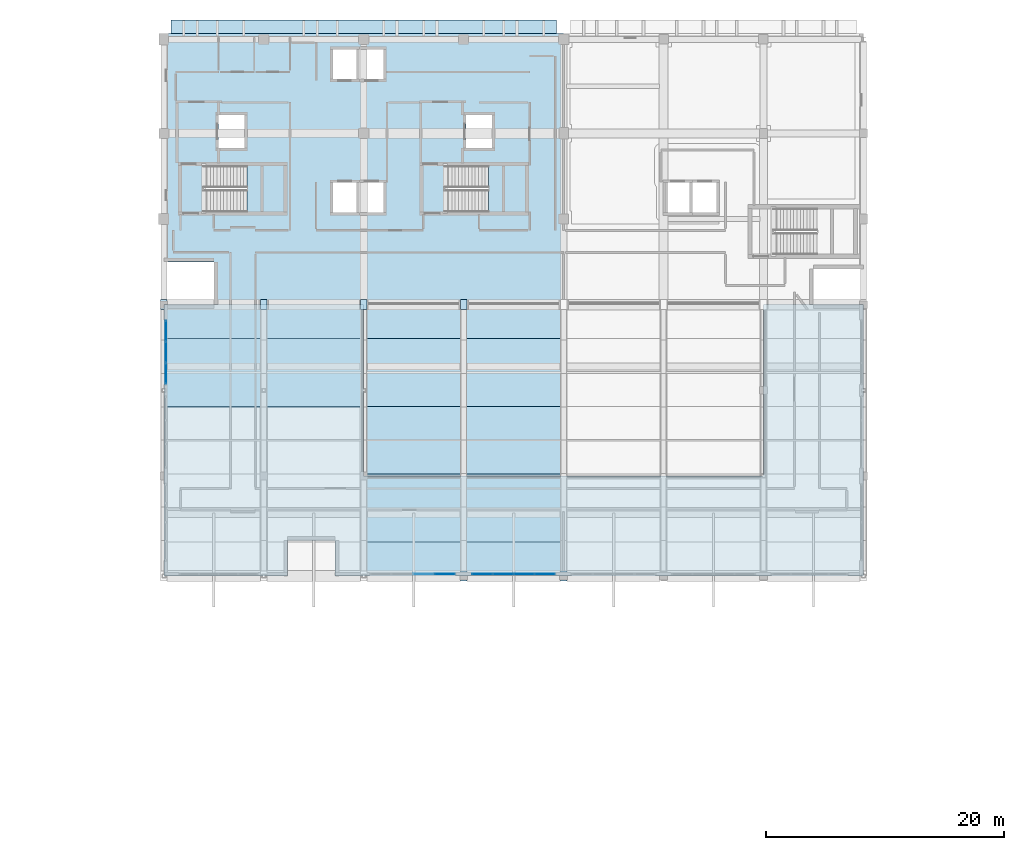
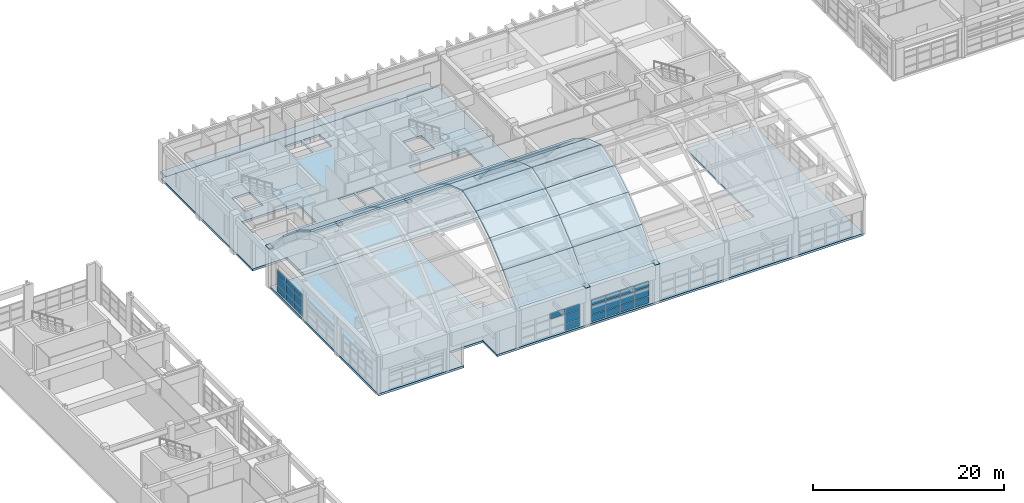
# One storey, part 75 of 103: 31 plates, 27 slabs, 5 elements without a shape of their own.
"""IFC4 building model written with IfcOpenShell, lengths in metres."""

import ifcopenshell
import ifcopenshell.guid

model = None  # the IFC model being written
_history = None  # IfcOwnerHistory: only IFC2X3 demands one
_inside = {}  # id of a spatial element -> (the spatial element, [elements in it])
_under = {}  # id of a project, library or spatial element -> (it, [spatial elements below it])
_declared = {}  # id of a project -> (the project, [libraries it declares])
_typed = {}  # id of a type object -> (the type object, [elements of that type])
_made_of = {}  # id of a material, layer set ... -> (it, [elements and type objects made of it])


def new_model(schema):
    """Start an empty IFC model of exactly this schema.

    Asked for "IFC4X3", IfcOpenShell would pick the latest addendum, in which some entities
    have other attributes; the version numbers below select the first issue.
    IFC2X3 requires an IfcOwnerHistory on every rooted entity: one is made here for all.
    """
    global model, _history
    if schema == "IFC4X3":
        model = ifcopenshell.file(schema_version=(4, 3, 0, 0))
    else:
        model = ifcopenshell.file(schema=schema)
    _inside.clear()
    _under.clear()
    _declared.clear()
    _typed.clear()
    _made_of.clear()
    _history = None
    if model.schema == "IFC2X3":
        org = make("IfcOrganization", Name="unknown")
        user = make(
            "IfcPersonAndOrganization",
            ThePerson=make("IfcPerson", FamilyName="unknown"),
            TheOrganization=org,
        )
        app = make(
            "IfcApplication",
            ApplicationDeveloper=org,
            Version="unknown",
            ApplicationFullName="unknown",
            ApplicationIdentifier="unknown",
        )
        _history = make(
            "IfcOwnerHistory",
            OwningUser=user,
            OwningApplication=app,
            ChangeAction="ADDED",
            CreationDate=0,
        )
    return model


def make(cls, **values):
    """One entity of the class cls with the attributes given. An attribute that is None is left unset."""
    return model.create_entity(
        cls, **{name: value for name, value in values.items() if value is not None}
    )


def rooted(cls, **values):
    """An entity with a GlobalId (a new one), such as an element, a storey or a relation."""
    return make(cls, GlobalId=ifcopenshell.guid.new(), OwnerHistory=_history, **values)


def si_unit(unit_type, name, prefix=None):
    """IfcSIUnit, for example si_unit("LENGTHUNIT", "METRE", prefix="MILLI")."""
    return make("IfcSIUnit", UnitType=unit_type, Prefix=prefix, Name=name)


def assignment(units):
    """IfcUnitAssignment: the units of a project."""
    return None if units is None else make("IfcUnitAssignment", Units=units)


def point(xyz):
    """IfcCartesianPoint."""
    return None if xyz is None else make("IfcCartesianPoint", Coordinates=xyz)


def direction(xyz):
    """IfcDirection."""
    return None if xyz is None else make("IfcDirection", DirectionRatios=xyz)


def frame(location, z_axis=None, x_axis=None):
    """IfcAxis2Placement3D, a coordinate frame: its origin and axes. An axis left out is left unset."""
    return make(
        "IfcAxis2Placement3D",
        Location=point(location),
        Axis=direction(z_axis),
        RefDirection=direction(x_axis),
    )


def frame_2d(location, x_axis=None):
    """IfcAxis2Placement2D, a coordinate frame in the plane: its origin and x axis."""
    return make(
        "IfcAxis2Placement2D", Location=point(location), RefDirection=direction(x_axis)
    )


def origin():
    """The frame at (0, 0, 0) with its axes left unset."""
    return frame((0.0, 0.0, 0.0))


def origin_2d():
    """The frame at (0, 0) in the plane with its x axis left unset."""
    return frame_2d((0.0, 0.0))


def place(relative_to, where):
    """IfcLocalPlacement: puts the frame where relative to a parent placement (None: the world)."""
    return make(
        "IfcLocalPlacement", PlacementRelTo=relative_to, RelativePlacement=where
    )


def context(
    kind, dimensions, precision=None, world=None, true_north=None, identifier=None
):
    """IfcGeometricRepresentationContext, for example the 3D "Model" context."""
    return make(
        "IfcGeometricRepresentationContext",
        ContextIdentifier=identifier,
        ContextType=kind,
        CoordinateSpaceDimension=dimensions,
        Precision=precision,
        WorldCoordinateSystem=world,
        TrueNorth=true_north,
    )


def subcontext(parent, identifier, kind, view, scale=None):
    """IfcGeometricRepresentationSubContext, for example "Body" below "Model"."""
    return make(
        "IfcGeometricRepresentationSubContext",
        ContextIdentifier=identifier,
        ContextType=kind,
        ParentContext=parent,
        TargetScale=scale,
        TargetView=view,
    )


def project(units=None, contexts=None):
    """IfcProject with its units and contexts."""
    return rooted(
        "IfcProject",
        Name="project",
        RepresentationContexts=contexts,
        UnitsInContext=assignment(units),
    )


def spatial(cls, under=None, at=None, **own):
    """A site, building, storey or space (cls), placed at a placement, below another one or the project."""
    s = rooted(cls, ObjectPlacement=at, **own)
    if under is not None:
        _under.setdefault(under.id(), (under, []))[1].append(s)
    return s


def polyline(points):
    """IfcPolyline through the points."""
    return make("IfcPolyline", Points=[point(p) for p in points])


def profile(cls, at=None, kind="AREA", **sizes):
    """A parametric profile (cls). Its sizes go by their IFC names, for example OverallWidth=200.0."""
    return make(cls, ProfileType=kind, Position=at, **sizes)


def rectangle(**sizes):
    """IfcRectangleProfileDef."""
    return profile("IfcRectangleProfileDef", **sizes)


def outline(outer, holes=None, kind="AREA"):
    """IfcArbitraryClosedProfileDef: a profile drawn as a closed curve; with holes, ...WithVoids."""
    if holes is None:
        return make("IfcArbitraryClosedProfileDef", ProfileType=kind, OuterCurve=outer)
    return make(
        "IfcArbitraryProfileDefWithVoids",
        ProfileType=kind,
        OuterCurve=outer,
        InnerCurves=holes,
    )


def extrude(swept, where, along, depth):
    """IfcExtrudedAreaSolid: the profile swept, set in the frame where, extruded along a direction by depth."""
    return make(
        "IfcExtrudedAreaSolid",
        SweptArea=swept,
        Position=where,
        ExtrudedDirection=direction(along),
        Depth=depth,
    )


def shape(context_of_items, identifier, shape_type, items):
    """IfcShapeRepresentation: the items that make up one representation, for example the "Body"."""
    return make(
        "IfcShapeRepresentation",
        ContextOfItems=context_of_items,
        RepresentationIdentifier=identifier,
        RepresentationType=shape_type,
        Items=items,
    )


def material(Name=None, Category=None):
    """IfcMaterial."""
    return make("IfcMaterial", Name=Name, Category=Category)


def layer(
    of_material, thickness, ventilated=None, Name=None, Category=None, Priority=None
):
    """IfcMaterialLayer: one layer of a wall or slab, of a material (None: an air gap)."""
    return make(
        "IfcMaterialLayer",
        Material=of_material,
        LayerThickness=thickness,
        IsVentilated=ventilated,
        Name=Name,
        Category=Category,
        Priority=Priority,
    )


def layer_set(layers, Name=None):
    """IfcMaterialLayerSet."""
    return make("IfcMaterialLayerSet", MaterialLayers=layers, LayerSetName=Name)


def made_of(thing, what):
    """Note that an element or type object is made of a material, layer set ...; save() writes the relation."""
    if what is not None:
        _made_of.setdefault(what.id(), (what, []))[1].append(thing)
    return thing


def type_object(cls, material=None, **own):
    """A type object (cls), such as IfcWallType, which elements share."""
    return made_of(rooted(cls, **own), material)


def element(
    cls,
    number,
    at=None,
    inside=None,
    cuts=None,
    type_object=None,
    material=None,
    context=None,
    identifier="Body",
    shape_type=None,
    held_by="IfcProductDefinitionShape",
    body=None,
    shapes=None,
    **own,
):
    """One element of the class cls, such as IfcWall. Its Tag is "e" and its number.

    at: its placement. inside: the storey or other place that contains it. cuts: it is an
    opening in that element (IfcRelVoidsElement). A single representation is given by context,
    identifier, shape_type and body (its items); several are given by shapes. held_by: the class
    of the entity that holds the representations. save() writes the other relations.
    """
    e = rooted(cls, Tag="e%d" % number, ObjectPlacement=at, **own)
    if body is not None:
        shapes = [shape(context, identifier, shape_type, body)]
    if shapes is not None:
        e.Representation = make(held_by, Representations=shapes)
    if inside is not None:
        _inside.setdefault(inside.id(), (inside, []))[1].append(e)
    if cuts is not None:
        rooted(
            "IfcRelVoidsElement", RelatingBuildingElement=cuts, RelatedOpeningElement=e
        )
    if type_object is not None:
        _typed.setdefault(type_object.id(), (type_object, []))[1].append(e)
    return made_of(e, material)


def aggregate(whole, parts):
    """IfcRelAggregates: a whole, such as a stair, and the parts it consists of."""
    return rooted("IfcRelAggregates", RelatingObject=whole, RelatedObjects=parts)


def save(model, path):
    """Write the relations noted so far, then the file.

    IfcRelAggregates (storeys below a building ...), IfcRelContainedInSpatialStructure (elements
    in a storey), IfcRelDefinesByType, IfcRelAssociatesMaterial and IfcRelDeclares: one each for
    every whole, place, type object, material and project.
    """
    for whole, parts in _under.values():
        aggregate(whole, parts)
    for where, things in _inside.values():
        rooted(
            "IfcRelContainedInSpatialStructure",
            RelatedElements=things,
            RelatingStructure=where,
        )
    for kind, things in _typed.values():
        rooted("IfcRelDefinesByType", RelatedObjects=things, RelatingType=kind)
    for what, things in _made_of.values():
        rooted("IfcRelAssociatesMaterial", RelatedObjects=things, RelatingMaterial=what)
    for by, libraries in _declared.values():
        rooted("IfcRelDeclares", RelatingContext=by, RelatedDefinitions=libraries)
    model.write(path)


model = new_model("IFC4")

# Units and contexts
model_context = context("Model", 3, precision=1e-05, world=origin(), true_north=direction((0.0, 1.0)))
body_context = subcontext(model_context, "Body", "Model", "MODEL_VIEW")
ifc_project = project(units=[si_unit("LENGTHUNIT", "METRE"), si_unit("AREAUNIT", "SQUARE_METRE"), si_unit("VOLUMEUNIT", "CUBIC_METRE"), si_unit("PLANEANGLEUNIT", "RADIAN"), si_unit("MASSUNIT", "GRAM", prefix="KILO")], contexts=[model_context])

# Site, building, storey
site_placement = place(None, origin())
site = spatial("IfcSite", under=ifc_project, at=site_placement, CompositionType="ELEMENT")
building_placement = place(site_placement, origin())
building = spatial("IfcBuilding", under=site, at=building_placement, Name="Quendrovan Civic Courthouse", CompositionType="ELEMENT")
storey_placement = place(building_placement, frame((0.0, 0.0, 15.300048828125)))
storey = spatial("IfcBuildingStorey", under=building, at=storey_placement, Name="L04", CompositionType="ELEMENT", Elevation=15.300048828125)

# Curtain wall, plates
ifc_material_1 = material(Name="Bronze anodised aluminium and low-E glass", Category="aluminium")
ifc_layer_1 = layer(ifc_material_1, 0.179931640625, Name="Bronze anodised aluminium and low-E glass")
ifc_layer_set_1 = layer_set([ifc_layer_1], Name="Bronze anodised aluminium and low-E glass")
curtain_wall_type_1 = type_object("IfcCurtainWallType", Name="CW-U70x30", PredefinedType="USERDEFINED", material=ifc_layer_set_1)
curtain_wall_1_placement = place(storey_placement, origin())
curtain_wall_1 = element("IfcCurtainWall", 1, at=curtain_wall_1_placement, inside=storey, type_object=curtain_wall_type_1, Name="L04 Unitised Hurricane Curtain Wall CW-161", ObjectType="UNITISED CURTAIN WALL", PredefinedType="USERDEFINED")
ifc_material_2 = material(Name="Laminated hurricane-impact low-E glass", Category="glass")
ifc_layer_2 = layer(ifc_material_2, 0.031982421875, Name="Laminated hurricane-impact low-E glass")
ifc_layer_set_2 = layer_set([ifc_layer_2], Name="Laminated hurricane-impact low-E glass")
plate_type_1 = type_object("IfcPlateType", Name="CW-PNL-2", PredefinedType="CURTAIN_PANEL", material=ifc_layer_set_2)
plate_1_placement = place(storey_placement, frame((65.62744140625, 64.965087890625, 0.06494140625), z_axis=(0.0, 0.0, 1.0), x_axis=(-1.0, 0.0, 0.0)))
plate_1 = element("IfcPlate", 2, at=plate_1_placement, type_object=plate_type_1, Name="CW-161 panel 1.1", PredefinedType="CURTAIN_PANEL", context=body_context, shape_type="SweptSolid", body=[
    extrude(rectangle(XDim=1.6650390625, YDim=0.031982421875, at=origin_2d()), origin(), (0.0, 0.0, 1.0), 0.8525390625),
])
plate_2_placement = place(storey_placement, frame((65.62744140625, 64.965087890625, 0.982421875), z_axis=(0.0, 0.0, 1.0), x_axis=(-1.0, 0.0, 0.0)))
plate_2 = element("IfcPlate", 3, at=plate_2_placement, type_object=plate_type_1, Name="CW-161 panel 1.2", PredefinedType="CURTAIN_PANEL", context=body_context, shape_type="SweptSolid", body=[
    extrude(rectangle(XDim=1.6650390625, YDim=0.031982421875, at=origin_2d()), origin(), (0.0, 0.0, 1.0), 1.135009765625),
])
plate_3_placement = place(storey_placement, frame((65.62744140625, 64.965087890625, 2.1826171875), z_axis=(0.0, 0.0, 1.0), x_axis=(-1.0, 0.0, 0.0)))
plate_3 = element("IfcPlate", 4, at=plate_3_placement, type_object=plate_type_1, Name="CW-161 panel 1.3", PredefinedType="CURTAIN_PANEL", context=body_context, shape_type="SweptSolid", body=[
    extrude(rectangle(XDim=1.6650390625, YDim=0.031982421875, at=origin_2d()), origin(), (0.0, 0.0, 1.0), 0.722412109375),
])
plate_4_placement = place(storey_placement, frame((63.88134765625, 64.965087890625, 0.06494140625), z_axis=(0.0, 0.0, 1.0), x_axis=(-1.0, 0.0, 0.0)))
plate_4 = element("IfcPlate", 5, at=plate_4_placement, type_object=plate_type_1, Name="CW-161 panel 2.1", PredefinedType="CURTAIN_PANEL", context=body_context, shape_type="SweptSolid", body=[
    extrude(rectangle(XDim=1.697509765625, YDim=0.031982421875, at=origin_2d()), origin(), (0.0, 0.0, 1.0), 0.8525390625),
])
plate_5_placement = place(storey_placement, frame((63.88134765625, 64.965087890625, 0.982421875), z_axis=(0.0, 0.0, 1.0), x_axis=(-1.0, 0.0, 0.0)))
plate_5 = element("IfcPlate", 6, at=plate_5_placement, type_object=plate_type_1, Name="CW-161 panel 2.2", PredefinedType="CURTAIN_PANEL", context=body_context, shape_type="SweptSolid", body=[
    extrude(rectangle(XDim=1.697509765625, YDim=0.031982421875, at=origin_2d()), origin(), (0.0, 0.0, 1.0), 1.135009765625),
])
plate_6_placement = place(storey_placement, frame((63.88134765625, 64.965087890625, 2.1826171875), z_axis=(0.0, 0.0, 1.0), x_axis=(-1.0, 0.0, 0.0)))
plate_6 = element("IfcPlate", 7, at=plate_6_placement, type_object=plate_type_1, Name="CW-161 panel 2.3", PredefinedType="CURTAIN_PANEL", context=body_context, shape_type="SweptSolid", body=[
    extrude(rectangle(XDim=1.697509765625, YDim=0.031982421875, at=origin_2d()), origin(), (0.0, 0.0, 1.0), 0.722412109375),
])
plate_7_placement = place(storey_placement, frame((62.11865234375, 64.965087890625, 0.06494140625), z_axis=(0.0, 0.0, 1.0), x_axis=(-1.0, 0.0, 0.0)))
plate_7 = element("IfcPlate", 8, at=plate_7_placement, type_object=plate_type_1, Name="CW-161 panel 3.1", PredefinedType="CURTAIN_PANEL", context=body_context, shape_type="SweptSolid", body=[
    extrude(rectangle(XDim=1.697509765625, YDim=0.031982421875, at=origin_2d()), origin(), (0.0, 0.0, 1.0), 0.8525390625),
])
plate_8_placement = place(storey_placement, frame((62.11865234375, 64.965087890625, 0.982421875), z_axis=(0.0, 0.0, 1.0), x_axis=(-1.0, 0.0, 0.0)))
plate_8 = element("IfcPlate", 9, at=plate_8_placement, type_object=plate_type_1, Name="CW-161 panel 3.2", PredefinedType="CURTAIN_PANEL", context=body_context, shape_type="SweptSolid", body=[
    extrude(rectangle(XDim=1.697509765625, YDim=0.031982421875, at=origin_2d()), origin(), (0.0, 0.0, 1.0), 1.135009765625),
])
plate_9_placement = place(storey_placement, frame((62.11865234375, 64.965087890625, 2.1826171875), z_axis=(0.0, 0.0, 1.0), x_axis=(-1.0, 0.0, 0.0)))
plate_9 = element("IfcPlate", 10, at=plate_9_placement, type_object=plate_type_1, Name="CW-161 panel 3.3", PredefinedType="CURTAIN_PANEL", context=body_context, shape_type="SweptSolid", body=[
    extrude(rectangle(XDim=1.697509765625, YDim=0.031982421875, at=origin_2d()), origin(), (0.0, 0.0, 1.0), 0.722412109375),
])
plate_10_placement = place(storey_placement, frame((60.37255859375, 64.965087890625, 0.06494140625), z_axis=(0.0, 0.0, 1.0), x_axis=(-1.0, 0.0, 0.0)))
plate_10 = element("IfcPlate", 11, at=plate_10_placement, type_object=plate_type_1, Name="CW-161 panel 4.1", PredefinedType="CURTAIN_PANEL", context=body_context, shape_type="SweptSolid", body=[
    extrude(rectangle(XDim=1.6650390625, YDim=0.031982421875, at=origin_2d()), origin(), (0.0, 0.0, 1.0), 0.8525390625),
])
plate_11_placement = place(storey_placement, frame((60.37255859375, 64.965087890625, 0.982421875), z_axis=(0.0, 0.0, 1.0), x_axis=(-1.0, 0.0, 0.0)))
plate_11 = element("IfcPlate", 12, at=plate_11_placement, type_object=plate_type_1, Name="CW-161 panel 4.2", PredefinedType="CURTAIN_PANEL", context=body_context, shape_type="SweptSolid", body=[
    extrude(rectangle(XDim=1.6650390625, YDim=0.031982421875, at=origin_2d()), origin(), (0.0, 0.0, 1.0), 1.135009765625),
])
plate_12_placement = place(storey_placement, frame((60.37255859375, 64.965087890625, 2.1826171875), z_axis=(0.0, 0.0, 1.0), x_axis=(-1.0, 0.0, 0.0)))
plate_12 = element("IfcPlate", 13, at=plate_12_placement, type_object=plate_type_1, Name="CW-161 panel 4.3", PredefinedType="CURTAIN_PANEL", context=body_context, shape_type="SweptSolid", body=[
    extrude(rectangle(XDim=1.6650390625, YDim=0.031982421875, at=origin_2d()), origin(), (0.0, 0.0, 1.0), 0.722412109375),
])
aggregate(curtain_wall_1, [plate_1, plate_2, plate_3, plate_4, plate_5, plate_6, plate_7, plate_8, plate_9, plate_10, plate_11, plate_12])

ifc_layer_3 = layer(ifc_material_1, 0.179931640625, Name="Bronze anodised aluminium and low-E glass")
ifc_layer_set_3 = layer_set([ifc_layer_3], Name="Bronze anodised aluminium and low-E glass")
curtain_wall_type_2 = type_object("IfcCurtainWallType", Name="CW-U72x30", PredefinedType="USERDEFINED", material=ifc_layer_set_3)
curtain_wall_2_placement = place(storey_placement, origin())
curtain_wall_2 = element("IfcCurtainWall", 14, at=curtain_wall_2_placement, inside=storey, type_object=curtain_wall_type_2, Name="L04 Unitised Hurricane Curtain Wall CW-162", ObjectType="UNITISED CURTAIN WALL", PredefinedType="USERDEFINED")
ifc_layer_4 = layer(ifc_material_2, 0.035888671875, Name="Laminated hurricane-impact low-E glass")
ifc_layer_set_4 = layer_set([ifc_layer_4], Name="Laminated hurricane-impact low-E glass")
plate_type_2 = type_object("IfcPlateType", Name="CW-PNL-3", PredefinedType="CURTAIN_PANEL", material=ifc_layer_set_4)
plate_13_placement = place(storey_placement, frame((57.204345703125, 64.965087890625, 0.06982421875), z_axis=(0.0, 0.0, 1.0), x_axis=(-1.0, 0.0, 0.0)))
plate_13 = element("IfcPlate", 15, at=plate_13_placement, type_object=plate_type_2, Name="CW-162 panel 1.1", PredefinedType="CURTAIN_PANEL", context=body_context, shape_type="SweptSolid", body=[
    extrude(rectangle(XDim=1.701171875, YDim=0.035888671875, at=origin_2d()), origin(), (0.0, 0.0, 1.0), 0.844970703125),
])
plate_14_placement = place(storey_placement, frame((57.204345703125, 64.965087890625, 0.985107421875), z_axis=(0.0, 0.0, 1.0), x_axis=(-1.0, 0.0, 0.0)))
plate_14 = element("IfcPlate", 16, at=plate_14_placement, type_object=plate_type_2, Name="CW-162 panel 1.2", PredefinedType="CURTAIN_PANEL", context=body_context, shape_type="SweptSolid", body=[
    extrude(rectangle(XDim=1.701171875, YDim=0.035888671875, at=origin_2d()), origin(), (0.0, 0.0, 1.0), 1.1298828125),
])
plate_15_placement = place(storey_placement, frame((57.204345703125, 64.965087890625, 2.18505859375), z_axis=(0.0, 0.0, 1.0), x_axis=(-1.0, 0.0, 0.0)))
plate_15 = element("IfcPlate", 17, at=plate_15_placement, type_object=plate_type_2, Name="CW-162 panel 1.3", PredefinedType="CURTAIN_PANEL", context=body_context, shape_type="SweptSolid", body=[
    extrude(rectangle(XDim=1.701171875, YDim=0.035888671875, at=origin_2d()), origin(), (0.0, 0.0, 1.0), 0.715087890625),
])
plate_16_placement = place(storey_placement, frame((55.41552734375, 64.965087890625, 2.18505859375), z_axis=(0.0, 0.0, 1.0), x_axis=(-1.0, 0.0, 0.0)))
plate_16 = element("IfcPlate", 18, at=plate_16_placement, type_object=plate_type_2, Name="CW-162 panel 2.3", PredefinedType="CURTAIN_PANEL", context=body_context, shape_type="SweptSolid", body=[
    extrude(rectangle(XDim=1.736328125, YDim=0.035888671875, at=origin_2d()), origin(), (0.0, 0.0, 1.0), 0.715087890625),
])
aggregate(curtain_wall_2, [plate_13, plate_14, plate_15, plate_16])

ifc_layer_5 = layer(ifc_material_1, 0.179931640625, Name="Bronze anodised aluminium and low-E glass")
ifc_layer_set_5 = layer_set([ifc_layer_5], Name="Bronze anodised aluminium and low-E glass")
curtain_wall_type_3 = type_object("IfcCurtainWallType", Name="CW-U54x30", PredefinedType="USERDEFINED", material=ifc_layer_set_5)
curtain_wall_3_placement = place(storey_placement, origin())
curtain_wall_3 = element("IfcCurtainWall", 19, at=curtain_wall_3_placement, inside=storey, type_object=curtain_wall_type_3, Name="L04 Unitised Hurricane Curtain Wall CW-166", ObjectType="UNITISED CURTAIN WALL", PredefinedType="USERDEFINED")
plate_17_placement = place(storey_placement, frame((33.764892578125, 81.8173828125, 0.06982421875), z_axis=(0.0, 0.0, 1.0), x_axis=(0.0, 1.0, 0.0)))
plate_17 = element("IfcPlate", 20, at=plate_17_placement, type_object=plate_type_2, Name="CW-166 panel 1.1", PredefinedType="CURTAIN_PANEL", context=body_context, shape_type="SweptSolid", body=[
    extrude(rectangle(XDim=1.695068359375, YDim=0.035888671875, at=origin_2d()), origin(), (0.0, 0.0, 1.0), 0.844970703125),
])
plate_18_placement = place(storey_placement, frame((33.764892578125, 81.8173828125, 0.985107421875), z_axis=(0.0, 0.0, 1.0), x_axis=(0.0, 1.0, 0.0)))
plate_18 = element("IfcPlate", 21, at=plate_18_placement, type_object=plate_type_2, Name="CW-166 panel 1.2", PredefinedType="CURTAIN_PANEL", context=body_context, shape_type="SweptSolid", body=[
    extrude(rectangle(XDim=1.695068359375, YDim=0.035888671875, at=origin_2d()), origin(), (0.0, 0.0, 1.0), 1.1298828125),
])
plate_19_placement = place(storey_placement, frame((33.764892578125, 81.8173828125, 2.18505859375), z_axis=(0.0, 0.0, 1.0), x_axis=(0.0, 1.0, 0.0)))
plate_19 = element("IfcPlate", 22, at=plate_19_placement, type_object=plate_type_2, Name="CW-166 panel 1.3", PredefinedType="CURTAIN_PANEL", context=body_context, shape_type="SweptSolid", body=[
    extrude(rectangle(XDim=1.695068359375, YDim=0.035888671875, at=origin_2d()), origin(), (0.0, 0.0, 1.0), 0.715087890625),
])
plate_20_placement = place(storey_placement, frame((33.764892578125, 83.60009765625, 0.06982421875), z_axis=(0.0, 0.0, 1.0), x_axis=(0.0, 1.0, 0.0)))
plate_20 = element("IfcPlate", 23, at=plate_20_placement, type_object=plate_type_2, Name="CW-166 panel 2.1", PredefinedType="CURTAIN_PANEL", context=body_context, shape_type="SweptSolid", body=[
    extrude(rectangle(XDim=1.72998046875, YDim=0.035888671875, at=origin_2d()), origin(), (0.0, 0.0, 1.0), 0.844970703125),
])
plate_21_placement = place(storey_placement, frame((33.764892578125, 83.60009765625, 0.985107421875), z_axis=(0.0, 0.0, 1.0), x_axis=(0.0, 1.0, 0.0)))
plate_21 = element("IfcPlate", 24, at=plate_21_placement, type_object=plate_type_2, Name="CW-166 panel 2.2", PredefinedType="CURTAIN_PANEL", context=body_context, shape_type="SweptSolid", body=[
    extrude(rectangle(XDim=1.72998046875, YDim=0.035888671875, at=origin_2d()), origin(), (0.0, 0.0, 1.0), 1.1298828125),
])
plate_22_placement = place(storey_placement, frame((33.764892578125, 83.60009765625, 2.18505859375), z_axis=(0.0, 0.0, 1.0), x_axis=(0.0, 1.0, 0.0)))
plate_22 = element("IfcPlate", 25, at=plate_22_placement, type_object=plate_type_2, Name="CW-166 panel 2.3", PredefinedType="CURTAIN_PANEL", context=body_context, shape_type="SweptSolid", body=[
    extrude(rectangle(XDim=1.72998046875, YDim=0.035888671875, at=origin_2d()), origin(), (0.0, 0.0, 1.0), 0.715087890625),
])
plate_23_placement = place(storey_placement, frame((33.764892578125, 85.382568359375, 0.06982421875), z_axis=(0.0, 0.0, 1.0), x_axis=(0.0, 1.0, 0.0)))
plate_23 = element("IfcPlate", 26, at=plate_23_placement, type_object=plate_type_2, Name="CW-166 panel 3.1", PredefinedType="CURTAIN_PANEL", context=body_context, shape_type="SweptSolid", body=[
    extrude(rectangle(XDim=1.695068359375, YDim=0.035888671875, at=origin_2d()), origin(), (0.0, 0.0, 1.0), 0.844970703125),
])
plate_24_placement = place(storey_placement, frame((33.764892578125, 85.382568359375, 0.985107421875), z_axis=(0.0, 0.0, 1.0), x_axis=(0.0, 1.0, 0.0)))
plate_24 = element("IfcPlate", 27, at=plate_24_placement, type_object=plate_type_2, Name="CW-166 panel 3.2", PredefinedType="CURTAIN_PANEL", context=body_context, shape_type="SweptSolid", body=[
    extrude(rectangle(XDim=1.695068359375, YDim=0.035888671875, at=origin_2d()), origin(), (0.0, 0.0, 1.0), 1.1298828125),
])
plate_25_placement = place(storey_placement, frame((33.764892578125, 85.382568359375, 2.18505859375), z_axis=(0.0, 0.0, 1.0), x_axis=(0.0, 1.0, 0.0)))
plate_25 = element("IfcPlate", 28, at=plate_25_placement, type_object=plate_type_2, Name="CW-166 panel 3.3", PredefinedType="CURTAIN_PANEL", context=body_context, shape_type="SweptSolid", body=[
    extrude(rectangle(XDim=1.695068359375, YDim=0.035888671875, at=origin_2d()), origin(), (0.0, 0.0, 1.0), 0.715087890625),
])
aggregate(curtain_wall_3, [plate_17, plate_18, plate_19, plate_20, plate_21, plate_22, plate_23, plate_24, plate_25])

# Plates
ifc_material_3 = material(Name="Steel ASTM A572 Grade 50", Category="steel")
ifc_layer_6 = layer(ifc_material_3, 0.0400390625, Name="Steel ASTM A572 Grade 50")
ifc_layer_set_6 = layer_set([ifc_layer_6], Name="Steel ASTM A572 Grade 50")
plate_type_3 = type_object("IfcPlateType", Name="PLT-BASE-40", PredefinedType="USERDEFINED", material=ifc_layer_set_6)
for number, where, z_axis, x_axis, name in (
    (29, (33.60009765625, 87.60009765625, 5.059814453125), (0.0, 0.0, 1.0), (1.0, 0.0, 0.0), "BV2 Vault Springing Bearing Plate A1-N"),
    (30, (42.0, 87.60009765625, 5.059814453125), (0.0, 0.0, 1.0), (1.0, 0.0, 0.0), "BV2 Vault Springing Bearing Plate A2-N"),
    (31, (50.39990234375, 87.60009765625, 5.059814453125), (0.0, 0.0, 1.0), (1.0, 0.0, 0.0), "BV2 Vault Springing Bearing Plate A3-N"),
    (32, (58.800048828125, 64.800048828125, 5.059814453125), (0.0, 0.0, 1.0), (1.0, 0.0, 0.0), "BV2 Vault Springing Bearing Plate A4-S"),
    (33, (58.800048828125, 87.60009765625, 5.059814453125), (0.0, 0.0, 1.0), (1.0, 0.0, 0.0), "BV2 Vault Springing Bearing Plate A4-N"),
    (34, (67.199951171875, 64.800048828125, 5.059814453125), (0.0, 0.0, 1.0), (1.0, 0.0, 0.0), "BV2 Vault Springing Bearing Plate A5-S"),
):
    element("IfcPlate", number, at=place(storey_placement, frame(where, z_axis=z_axis, x_axis=x_axis)), inside=storey, type_object=plate_type_3, Name=name, ObjectType="BASE PLATE", PredefinedType="USERDEFINED", context=body_context, shape_type="SweptSolid", body=[
        extrude(rectangle(XDim=0.550048828125, YDim=0.85009765625, at=origin_2d()), origin(), (0.0, 0.0, 1.0), 0.0400390625),
    ])

# Slabs
ifc_material_4 = material(Name="Precast limestone concrete C45/55", Category="masonry")
ifc_layer_7 = layer(ifc_material_4, 0.419921875, Name="Precast limestone concrete C45/55")
ifc_layer_set_7 = layer_set([ifc_layer_7], Name="Precast limestone concrete C45/55")
slab_type_1 = type_object("IfcSlabType", Name="SLB-LEDGE-420", PredefinedType="FLOOR", material=ifc_layer_set_7)
slab_1_placement = place(storey_placement, frame((0.0, 0.0, -0.420166015625)))
element("IfcSlab", 35, at=slab_1_placement, inside=storey, type_object=slab_type_1, Name="L04 Precast Architectural Spandrel Fin Shelf 363-0", PredefinedType="FLOOR", context=body_context, shape_type="SweptSolid", body=[
    extrude(outline(polyline([(34.199951171875, 111.528076171875), (66.60009765625, 111.528076171875), (66.60009765625, 110.3779296875), (34.199951171875, 110.3779296875), (34.199951171875, 111.528076171875)])), origin(), (0.0, 0.0, 1.0), 0.420166015625),
])
ifc_material_5 = material(Name="Post-tensioned concrete C50/60", Category="concrete")
ifc_layer_8 = layer(ifc_material_5, 0.280029296875, Name="Post-tensioned concrete C50/60")
ifc_layer_set_8 = layer_set([ifc_layer_8], Name="Post-tensioned concrete C50/60")
slab_type_2 = type_object("IfcSlabType", Name="SLB-PT-280", PredefinedType="FLOOR", material=ifc_layer_set_8)
slab_2_placement = place(storey_placement, frame((0.0, 0.0, -0.280029296875)))
element("IfcSlab", 36, at=slab_2_placement, inside=storey, type_object=slab_type_2, Name="L04 Structural Floor Slab V3C", PredefinedType="FLOOR", context=body_context, shape_type="SweptSolid", body=[
    extrude(outline(polyline([(33.60009765625, 87.60009765625), (50.39990234375, 87.60009765625), (50.39990234375, 73.199951171875), (84.0, 73.199951171875), (84.0, 87.60009765625), (92.39990234375, 87.60009765625), (92.39990234375, 64.800048828125), (48.0, 64.800048828125), (48.0, 67.800048828125), (44.0, 67.800048828125), (44.0, 64.800048828125), (33.60009765625, 64.800048828125), (33.60009765625, 87.60009765625)])), origin(), (0.0, 0.0, 1.0), 0.280029296875),
])
slab_3_placement = place(storey_placement, frame((0.0, 0.0, -0.280029296875)))
element("IfcSlab", 37, at=slab_3_placement, inside=storey, type_object=slab_type_2, Name="L04 Structural Floor Slab V2W", PredefinedType="FLOOR", context=body_context, shape_type="SweptSolid", body=[
    extrude(outline(polyline([(67.199951171875, 110.39990234375), (67.199951171875, 87.60009765625), (37.800048828125, 87.60009765625), (37.800048828125, 91.199951171875), (33.60009765625, 91.199951171875), (33.60009765625, 110.39990234375), (67.199951171875, 110.39990234375)]), holes=[polyline([(49.800048828125, 97.85009765625), (47.800048828125, 97.85009765625), (47.800048828125, 95.35009765625), (49.800048828125, 95.35009765625), (49.800048828125, 97.85009765625)]), polyline([(52.050048828125, 97.85009765625), (50.050048828125, 97.85009765625), (50.050048828125, 95.35009765625), (52.050048828125, 95.35009765625), (52.050048828125, 97.85009765625)]), polyline([(43.699951171875, 99.280029296875), (36.949951171875, 99.280029296875), (36.949951171875, 95.39990234375), (43.699951171875, 95.39990234375), (43.699951171875, 99.280029296875)]), polyline([(64.0, 99.280029296875), (57.25, 99.280029296875), (57.25, 95.39990234375), (64.0, 95.39990234375), (64.0, 99.280029296875)]), polyline([(40.39990234375, 103.550048828125), (38.199951171875, 103.550048828125), (38.199951171875, 100.75), (40.39990234375, 100.75), (40.39990234375, 103.550048828125)]), polyline([(61.199951171875, 103.550048828125), (59.0, 103.550048828125), (59.0, 100.75), (61.199951171875, 100.75), (61.199951171875, 103.550048828125)]), polyline([(49.800048828125, 109.050048828125), (47.800048828125, 109.050048828125), (47.800048828125, 106.550048828125), (49.800048828125, 106.550048828125), (49.800048828125, 109.050048828125)]), polyline([(52.050048828125, 109.050048828125), (50.050048828125, 109.050048828125), (50.050048828125, 106.550048828125), (52.050048828125, 106.550048828125), (52.050048828125, 109.050048828125)])]), origin(), (0.0, 0.0, 1.0), 0.280029296875),
])

# Stair, slab
ifc_material_6 = material(Name="Concrete C40/50", Category="concrete")
stair_type = type_object("IfcStairType", Name="STR-CORE-5100", PredefinedType="HALF_TURN_STAIR", material=ifc_material_6)
stair_1_placement = place(storey_placement, origin())
stair_1 = element("IfcStair", 38, at=stair_1_placement, inside=storey, type_object=stair_type, Name="L04 West Judicial and Public Exit Stair 1", PredefinedType="HALF_TURN_STAIR")
ifc_layer_9 = layer(ifc_material_6, 0.199951171875, Name="Concrete C40/50")
ifc_layer_set_9 = layer_set([ifc_layer_9], Name="Concrete C40/50")
slab_type_3 = type_object("IfcSlabType", Name="SLB-STAIR-LND200", PredefinedType="LANDING", material=ifc_layer_set_9)
slab_4_placement = place(storey_placement, frame((0.0, 0.0, 2.349853515625)))
slab_4 = element("IfcSlab", 39, at=slab_4_placement, type_object=slab_type_3, Name="ST1 landing 1", PredefinedType="LANDING", context=body_context, shape_type="SweptSolid", body=[
    extrude(outline(polyline([(40.590087890625, 95.39990234375), (43.699951171875, 95.39990234375), (43.699951171875, 99.280029296875), (40.590087890625, 99.280029296875), (40.590087890625, 95.39990234375)])), origin(), (0.0, 0.0, 1.0), 0.2001953125),
])
aggregate(stair_1, [slab_4])

stair_2_placement = place(storey_placement, origin())
stair_2 = element("IfcStair", 40, at=stair_2_placement, inside=storey, type_object=stair_type, Name="L04 Central Judicial and Firefighting Exit Stair 2", PredefinedType="HALF_TURN_STAIR")
slab_5_placement = place(storey_placement, frame((0.0, 0.0, 2.349853515625)))
slab_5 = element("IfcSlab", 41, at=slab_5_placement, type_object=slab_type_3, Name="ST2 landing 1", PredefinedType="LANDING", context=body_context, shape_type="SweptSolid", body=[
    extrude(outline(polyline([(60.889892578125, 95.39990234375), (64.0, 95.39990234375), (64.0, 99.280029296875), (60.889892578125, 99.280029296875), (60.889892578125, 95.39990234375)])), origin(), (0.0, 0.0, 1.0), 0.2001953125),
])
aggregate(stair_2, [slab_5])

# Slabs
ifc_layer_10 = layer(ifc_material_6, 0.199951171875, Name="Concrete C40/50")
ifc_layer_set_10 = layer_set([ifc_layer_10], Name="Concrete C40/50")
slab_type_4 = type_object("IfcSlabType", Name="SLB-VAULT-200", PredefinedType="ROOF", material=ifc_layer_set_10)
slab_6_placement = place(storey_placement, frame((33.60009765625, 79.050048828125, 12.35693359375), z_axis=(0.0, 0.508035555366, 0.861336098445), x_axis=(1.0, 0.0, 0.0)))
element("IfcSlab", 42, at=slab_6_placement, inside=storey, type_object=slab_type_4, Name="BV2 Concrete Barrel Vault Shell Panel B1-C6", PredefinedType="ROOF", context=body_context, shape_type="SweptSolid", body=[
    extrude(outline(polyline([(0.0, 0.0), (8.39990234375, 0.0), (8.39990234375, 3.3086428407812605), (0.0, 3.3086428407812605), (0.0, 0.0)])), origin(), (0.0, 0.0, -1.0), 0.199951171875),
])
slab_7_placement = place(storey_placement, frame((33.60009765625, 81.89990234375, 10.676025390625), z_axis=(0.0, 0.647121264214, 0.762387086329), x_axis=(1.0, 0.0, 0.0)))
element("IfcSlab", 43, at=slab_7_placement, inside=storey, type_object=slab_type_4, Name="BV2 Concrete Barrel Vault Shell Panel B1-C7", PredefinedType="ROOF", context=body_context, shape_type="SweptSolid", body=[
    extrude(outline(polyline([(0.0, 0.0), (8.39990234375, 0.0), (8.39990234375, 3.7383865851825675), (0.0, 3.7383865851825675), (0.0, 0.0)])), origin(), (0.0, 0.0, -1.0), 0.199951171875),
])
slab_8_placement = place(storey_placement, frame((33.60009765625, 84.75, 8.2568359375), z_axis=(0.0, 0.742262886094, 0.670108803052), x_axis=(1.0, 0.0, 0.0)))
element("IfcSlab", 44, at=slab_8_placement, inside=storey, type_object=slab_type_4, Name="BV2 Concrete Barrel Vault Shell Panel B1-C8", PredefinedType="ROOF", context=body_context, shape_type="SweptSolid", body=[
    extrude(outline(polyline([(0.0, 0.0), (8.39990234375, 0.0), (8.39990234375, 4.253186412819156), (0.0, 4.253186412819156), (0.0, 0.0)])), origin(), (0.0, 0.0, -1.0), 0.199951171875),
])
slab_9_placement = place(storey_placement, frame((42.0, 79.050048828125, 12.35693359375), z_axis=(0.0, 0.508035555366, 0.861336098445), x_axis=(1.0, 0.0, 0.0)))
element("IfcSlab", 45, at=slab_9_placement, inside=storey, type_object=slab_type_4, Name="BV2 Concrete Barrel Vault Shell Panel B2-C6", PredefinedType="ROOF", context=body_context, shape_type="SweptSolid", body=[
    extrude(outline(polyline([(0.0, 0.0), (8.39990234375, 0.0), (8.39990234375, 3.3086428407812605), (0.0, 3.3086428407812605), (0.0, 0.0)])), origin(), (0.0, 0.0, -1.0), 0.199951171875),
])
slab_10_placement = place(storey_placement, frame((42.0, 81.89990234375, 10.676025390625), z_axis=(0.0, 0.647121264214, 0.762387086329), x_axis=(1.0, 0.0, 0.0)))
element("IfcSlab", 46, at=slab_10_placement, inside=storey, type_object=slab_type_4, Name="BV2 Concrete Barrel Vault Shell Panel B2-C7", PredefinedType="ROOF", context=body_context, shape_type="SweptSolid", body=[
    extrude(outline(polyline([(0.0, 0.0), (8.39990234375, 0.0), (8.39990234375, 3.7383865851825675), (0.0, 3.7383865851825675), (0.0, 0.0)])), origin(), (0.0, 0.0, -1.0), 0.199951171875),
])
slab_11_placement = place(storey_placement, frame((42.0, 84.75, 8.2568359375), z_axis=(0.0, 0.742262886094, 0.670108803052), x_axis=(1.0, 0.0, 0.0)))
element("IfcSlab", 47, at=slab_11_placement, inside=storey, type_object=slab_type_4, Name="BV2 Concrete Barrel Vault Shell Panel B2-C8", PredefinedType="ROOF", context=body_context, shape_type="SweptSolid", body=[
    extrude(outline(polyline([(0.0, 0.0), (8.39990234375, 0.0), (8.39990234375, 4.253186412819156), (0.0, 4.253186412819156), (0.0, 0.0)])), origin(), (0.0, 0.0, -1.0), 0.199951171875),
])
slab_12_placement = place(storey_placement, frame((50.39990234375, 64.800048828125, 5.099853515625), z_axis=(0.0, -0.742291438004, 0.670077175456), x_axis=(1.0, 0.0, 0.0)))
element("IfcSlab", 48, at=slab_12_placement, inside=storey, type_object=slab_type_4, Name="BV2 Concrete Barrel Vault Shell Panel B3-C1", PredefinedType="ROOF", context=body_context, shape_type="SweptSolid", body=[
    extrude(outline(polyline([(0.0, 0.0), (8.400146484375, 0.0), (8.400146484375, 4.253022815897878), (0.0, 4.253022815897878), (0.0, 0.0)])), origin(), (0.0, 0.0, -1.0), 0.199951171875),
])
slab_13_placement = place(storey_placement, frame((50.39990234375, 67.64990234375, 8.2568359375), z_axis=(0.0, -0.647121264214, 0.762387086329), x_axis=(1.0, 0.0, 0.0)))
element("IfcSlab", 49, at=slab_13_placement, inside=storey, type_object=slab_type_4, Name="BV2 Concrete Barrel Vault Shell Panel B3-C2", PredefinedType="ROOF", context=body_context, shape_type="SweptSolid", body=[
    extrude(outline(polyline([(0.0, 0.0), (8.400146484375, 0.0), (8.400146484375, 3.7383865851825675), (0.0, 3.7383865851825675), (0.0, 0.0)])), origin(), (0.0, 0.0, -1.0), 0.199951171875),
])
slab_14_placement = place(storey_placement, frame((50.39990234375, 70.5, 10.676025390625), z_axis=(0.0, -0.508003267889, 0.861355141515), x_axis=(1.0, 0.0, 0.0)))
element("IfcSlab", 50, at=slab_14_placement, inside=storey, type_object=slab_type_4, Name="BV2 Concrete Barrel Vault Shell Panel B3-C3", PredefinedType="ROOF", context=body_context, shape_type="SweptSolid", body=[
    extrude(outline(polyline([(0.0, 0.0), (8.400146484375, 0.0), (8.400146484375, 3.308853130239337), (0.0, 3.308853130239337), (0.0, 0.0)])), origin(), (0.0, 0.0, -1.0), 0.199951171875),
])
for number, where, z_axis, x_axis, name in (
    (51, (50.39990234375, 73.35009765625, 12.35693359375), (0.0, -0.315536366073, 0.948913484826), (1.0, 0.0, 0.0), "BV2 Concrete Barrel Vault Shell Panel B3-C4"),
    (52, (50.39990234375, 76.235107421875, 13.29296875), (0.0, 0.315536366073, 0.948913484826), (1.0, 0.0, 0.0), "BV2 Concrete Barrel Vault Shell Panel B3-C5"),
):
    element("IfcSlab", number, at=place(storey_placement, frame(where, z_axis=z_axis, x_axis=x_axis)), inside=storey, type_object=slab_type_4, Name=name, PredefinedType="ROOF", context=body_context, shape_type="SweptSolid", body=[
        extrude(outline(polyline([(0.0, 0.0), (8.400146484375, 0.0), (8.400146484375, 2.966488991106606), (0.0, 2.966488991106606), (0.0, 0.0)])), origin(), (0.0, 0.0, -1.0), 0.199951171875),
    ])
slab_15_placement = place(storey_placement, frame((50.39990234375, 79.050048828125, 12.35693359375), z_axis=(0.0, 0.508035555366, 0.861336098445), x_axis=(1.0, 0.0, 0.0)))
element("IfcSlab", 53, at=slab_15_placement, inside=storey, type_object=slab_type_4, Name="BV2 Concrete Barrel Vault Shell Panel B3-C6", PredefinedType="ROOF", context=body_context, shape_type="SweptSolid", body=[
    extrude(outline(polyline([(0.0, 0.0), (8.400146484375, 0.0), (8.400146484375, 3.3086428407812605), (0.0, 3.3086428407812605), (0.0, 0.0)])), origin(), (0.0, 0.0, -1.0), 0.199951171875),
])
slab_16_placement = place(storey_placement, frame((50.39990234375, 81.89990234375, 10.676025390625), z_axis=(0.0, 0.647121264214, 0.762387086329), x_axis=(1.0, 0.0, 0.0)))
element("IfcSlab", 54, at=slab_16_placement, inside=storey, type_object=slab_type_4, Name="BV2 Concrete Barrel Vault Shell Panel B3-C7", PredefinedType="ROOF", context=body_context, shape_type="SweptSolid", body=[
    extrude(outline(polyline([(0.0, 0.0), (8.400146484375, 0.0), (8.400146484375, 3.7383865851825675), (0.0, 3.7383865851825675), (0.0, 0.0)])), origin(), (0.0, 0.0, -1.0), 0.199951171875),
])
slab_17_placement = place(storey_placement, frame((50.39990234375, 84.75, 8.2568359375), z_axis=(0.0, 0.742262886094, 0.670108803052), x_axis=(1.0, 0.0, 0.0)))
element("IfcSlab", 55, at=slab_17_placement, inside=storey, type_object=slab_type_4, Name="BV2 Concrete Barrel Vault Shell Panel B3-C8", PredefinedType="ROOF", context=body_context, shape_type="SweptSolid", body=[
    extrude(outline(polyline([(0.0, 0.0), (8.400146484375, 0.0), (8.400146484375, 4.253186412819156), (0.0, 4.253186412819156), (0.0, 0.0)])), origin(), (0.0, 0.0, -1.0), 0.199951171875),
])
slab_18_placement = place(storey_placement, frame((58.800048828125, 64.800048828125, 5.099853515625), z_axis=(0.0, -0.742291438004, 0.670077175456), x_axis=(1.0, 0.0, 0.0)))
element("IfcSlab", 56, at=slab_18_placement, inside=storey, type_object=slab_type_4, Name="BV2 Concrete Barrel Vault Shell Panel B4-C1", PredefinedType="ROOF", context=body_context, shape_type="SweptSolid", body=[
    extrude(outline(polyline([(0.0, 0.0), (8.39990234375, 0.0), (8.39990234375, 4.253022815897878), (0.0, 4.253022815897878), (0.0, 0.0)])), origin(), (0.0, 0.0, -1.0), 0.199951171875),
])
slab_19_placement = place(storey_placement, frame((58.800048828125, 67.64990234375, 8.2568359375), z_axis=(0.0, -0.647121264214, 0.762387086329), x_axis=(1.0, 0.0, 0.0)))
element("IfcSlab", 57, at=slab_19_placement, inside=storey, type_object=slab_type_4, Name="BV2 Concrete Barrel Vault Shell Panel B4-C2", PredefinedType="ROOF", context=body_context, shape_type="SweptSolid", body=[
    extrude(outline(polyline([(0.0, 0.0), (8.39990234375, 0.0), (8.39990234375, 3.7383865851825675), (0.0, 3.7383865851825675), (0.0, 0.0)])), origin(), (0.0, 0.0, -1.0), 0.199951171875),
])
slab_20_placement = place(storey_placement, frame((58.800048828125, 70.5, 10.676025390625), z_axis=(0.0, -0.508003267889, 0.861355141515), x_axis=(1.0, 0.0, 0.0)))
element("IfcSlab", 58, at=slab_20_placement, inside=storey, type_object=slab_type_4, Name="BV2 Concrete Barrel Vault Shell Panel B4-C3", PredefinedType="ROOF", context=body_context, shape_type="SweptSolid", body=[
    extrude(outline(polyline([(0.0, 0.0), (8.39990234375, 0.0), (8.39990234375, 3.3088531302393376), (0.0, 3.3088531302393376), (0.0, 0.0)])), origin(), (0.0, 0.0, -1.0), 0.199951171875),
])
for number, where, z_axis, x_axis, name in (
    (59, (58.800048828125, 73.35009765625, 12.35693359375), (0.0, -0.315536366073, 0.948913484826), (1.0, 0.0, 0.0), "BV2 Concrete Barrel Vault Shell Panel B4-C4"),
    (60, (58.800048828125, 76.235107421875, 13.29296875), (0.0, 0.315536366073, 0.948913484826), (1.0, 0.0, 0.0), "BV2 Concrete Barrel Vault Shell Panel B4-C5"),
):
    element("IfcSlab", number, at=place(storey_placement, frame(where, z_axis=z_axis, x_axis=x_axis)), inside=storey, type_object=slab_type_4, Name=name, PredefinedType="ROOF", context=body_context, shape_type="SweptSolid", body=[
        extrude(outline(polyline([(0.0, 0.0), (8.39990234375, 0.0), (8.39990234375, 2.9664889911066066), (0.0, 2.9664889911066066), (0.0, 0.0)])), origin(), (0.0, 0.0, -1.0), 0.199951171875),
    ])
slab_21_placement = place(storey_placement, frame((58.800048828125, 79.050048828125, 12.35693359375), z_axis=(0.0, 0.508035555366, 0.861336098445), x_axis=(1.0, 0.0, 0.0)))
element("IfcSlab", 61, at=slab_21_placement, inside=storey, type_object=slab_type_4, Name="BV2 Concrete Barrel Vault Shell Panel B4-C6", PredefinedType="ROOF", context=body_context, shape_type="SweptSolid", body=[
    extrude(outline(polyline([(0.0, 0.0), (8.39990234375, 0.0), (8.39990234375, 3.3086428407812605), (0.0, 3.3086428407812605), (0.0, 0.0)])), origin(), (0.0, 0.0, -1.0), 0.199951171875),
])
slab_22_placement = place(storey_placement, frame((58.800048828125, 81.89990234375, 10.676025390625), z_axis=(0.0, 0.647121264214, 0.762387086329), x_axis=(1.0, 0.0, 0.0)))
element("IfcSlab", 62, at=slab_22_placement, inside=storey, type_object=slab_type_4, Name="BV2 Concrete Barrel Vault Shell Panel B4-C7", PredefinedType="ROOF", context=body_context, shape_type="SweptSolid", body=[
    extrude(outline(polyline([(0.0, 0.0), (8.39990234375, 0.0), (8.39990234375, 3.7383865851825675), (0.0, 3.7383865851825675), (0.0, 0.0)])), origin(), (0.0, 0.0, -1.0), 0.199951171875),
])
slab_23_placement = place(storey_placement, frame((58.800048828125, 84.75, 8.2568359375), z_axis=(0.0, 0.742262886094, 0.670108803052), x_axis=(1.0, 0.0, 0.0)))
element("IfcSlab", 63, at=slab_23_placement, inside=storey, type_object=slab_type_4, Name="BV2 Concrete Barrel Vault Shell Panel B4-C8", PredefinedType="ROOF", context=body_context, shape_type="SweptSolid", body=[
    extrude(outline(polyline([(0.0, 0.0), (8.39990234375, 0.0), (8.39990234375, 4.253186412819156), (0.0, 4.253186412819156), (0.0, 0.0)])), origin(), (0.0, 0.0, -1.0), 0.199951171875),
])

save(model, "model.ifc")
